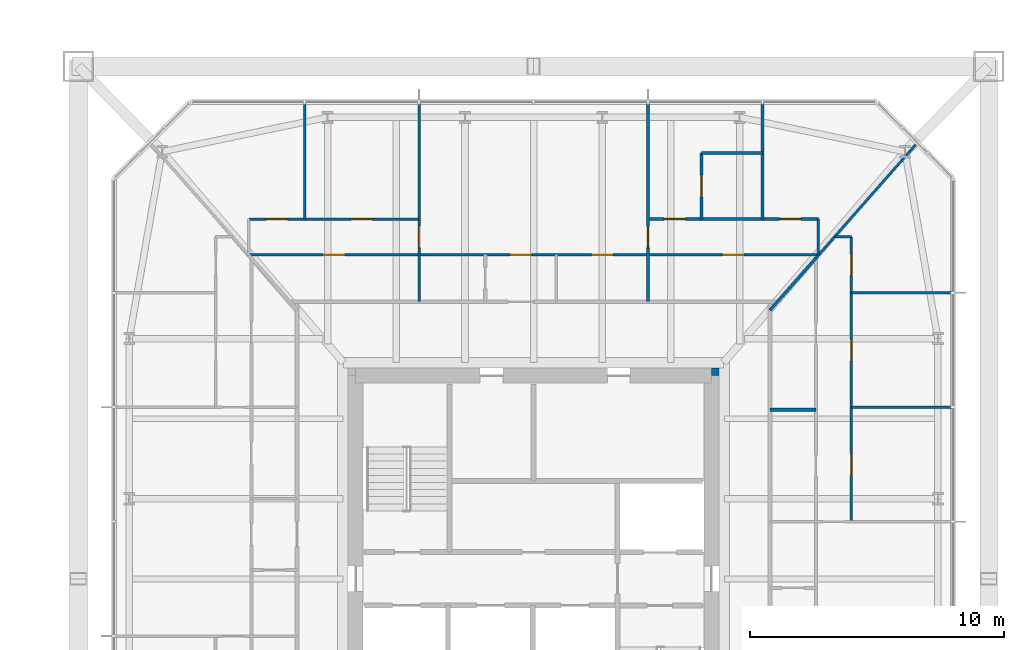
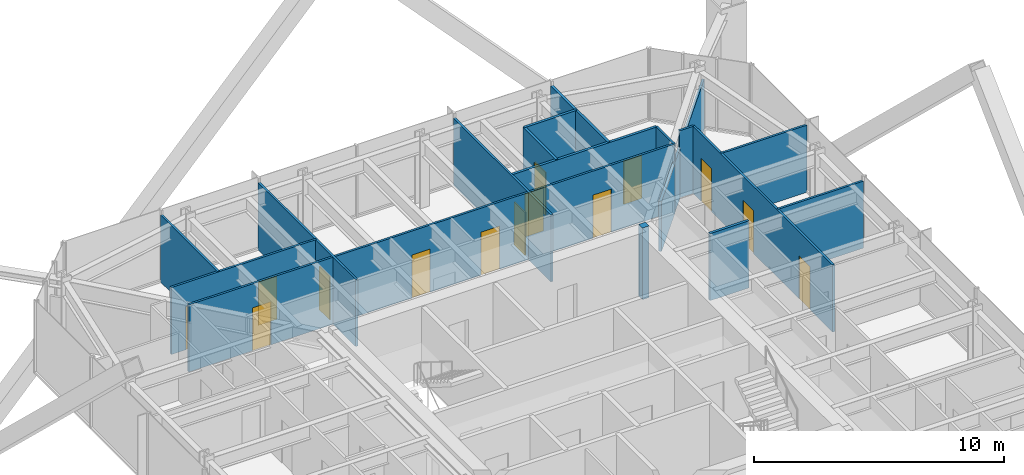
# One storey, part 23 of 28: 18 walls, 14 doors, 14 openings.
"""IFC4 building model written with IfcOpenShell, lengths in metres."""

from ifc_helpers import new_model, si_unit, direction, frame, frame_2d, origin, place, context, subcontext, project, spatial, rectangle, extrude, material, layer, layer_set, type_object, element, fill, save


model = new_model("IFC4")

# Units and contexts
model_context = context("Model", 3, precision=1e-05, world=origin(), true_north=direction((0.0, 1.0)))
body_context = subcontext(model_context, "Body", "Model", "MODEL_VIEW")
ifc_project = project(units=[si_unit("LENGTHUNIT", "METRE"), si_unit("AREAUNIT", "SQUARE_METRE"), si_unit("VOLUMEUNIT", "CUBIC_METRE"), si_unit("PLANEANGLEUNIT", "RADIAN"), si_unit("MASSUNIT", "GRAM", prefix="KILO")], contexts=[model_context])

# Site, building, storey
site_placement = place(None, origin())
site = spatial("IfcSite", under=ifc_project, at=site_placement, CompositionType="ELEMENT")
building_placement = place(site_placement, origin())
building = spatial("IfcBuilding", under=site, at=building_placement, Name="Iwan Alto Co-Living Towers", CompositionType="ELEMENT")
storey_placement = place(building_placement, frame((0.0, 0.0, 43.0)))
storey = spatial("IfcBuildingStorey", under=building, at=storey_placement, Name="L11", CompositionType="ELEMENT", Elevation=43.0)

# Walls
ifc_material_1 = material(Name="Gypsum board")
ifc_layer_1 = layer(ifc_material_1, 0.012451171875, Name="Board", Category="Finish")
ifc_material_2 = material(Name="Steel ASTM A1003 ST33H cold-formed studs", Category="steel")
ifc_layer_2 = layer(ifc_material_2, 0.074951171875, Name="Studs", Category="Framing")
ifc_layer_3 = layer(ifc_material_1, 0.012451171875, Name="Board", Category="Finish")
ifc_layer_set_1 = layer_set([ifc_layer_1, ifc_layer_2, ifc_layer_3], Name="PARTITION 100")
wall_type_1 = type_object("IfcWallType", Name="PARTITION 100", PredefinedType="PARTITIONING", material=ifc_layer_set_1)
for number, where, z_axis, x_axis, name in (
    (1, (75.5, 6.75, 0.0), (0.0, 0.0, 1.0), (1.0, 0.0, 0.0), "Partition L11"),
    (2, (75.5, 11.25, 0.0), (0.0, 0.0, 1.0), (1.0, 0.0, 0.0), "Partition L11"),
):
    element("IfcWall", number, at=place(storey_placement, frame(where, z_axis=z_axis, x_axis=x_axis)), inside=storey, type_object=wall_type_1, Name=name, PredefinedType="PARTITIONING", context=body_context, shape_type="SweptSolid", body=[
        extrude(rectangle(XDim=3.93994140625, YDim=0.10009765625, at=frame_2d((1.969970703125, 0.0))), origin(), (0.0, 0.0, 1.0), 3.27001953125),
    ])

# Wall, openings, doors
wall_1_placement = place(storey_placement, frame((51.800048828125, 12.75, 0.0), z_axis=(0.0, 0.0, 1.0), x_axis=(1.0, 0.0, 0.0)))
wall_1 = element("IfcWall", 3, at=wall_1_placement, inside=storey, type_object=wall_type_1, Name="Partition L11", PredefinedType="PARTITIONING", context=body_context, shape_type="SweptSolid", body=[
    extrude(rectangle(XDim=22.39990234375, YDim=0.10009765625, at=frame_2d((11.199951171875, 0.0))), origin(), (0.0, 0.0, 1.0), 3.27001953125),
])
opening_1_placement = place(wall_1_placement, frame((13.47509765625, 0.0, 0.0)))
opening_1 = element("IfcOpeningElement", 4, at=opening_1_placement, cuts=wall_1, Name="Opening D2", PredefinedType="OPENING", context=body_context, shape_type="SweptSolid", body=[
    extrude(rectangle(XDim=0.85009765625, YDim=2.10009765625, at=frame_2d((0.425048828125, 1.050048828125))), frame((0.0, 0.06005859375, 0.0), z_axis=(0.0, -1.0, 0.0), x_axis=(1.0, 0.0, 0.0)), (0.0, 0.0, 1.0), 0.1201171875),
])
opening_2_placement = place(wall_1_placement, frame((10.27490234375, 0.0, 0.0)))
opening_2 = element("IfcOpeningElement", 5, at=opening_2_placement, cuts=wall_1, Name="Opening D2", PredefinedType="OPENING", context=body_context, shape_type="SweptSolid", body=[
    extrude(rectangle(XDim=0.85009765625, YDim=2.10009765625, at=frame_2d((0.425048828125, 1.050048828125))), frame((0.0, 0.06005859375, 0.0), z_axis=(0.0, -1.0, 0.0), x_axis=(1.0, 0.0, 0.0)), (0.0, 0.0, 1.0), 0.1201171875),
])
opening_3_placement = place(wall_1_placement, frame((18.625, 0.0, 0.0)))
opening_3 = element("IfcOpeningElement", 6, at=opening_3_placement, cuts=wall_1, Name="Opening D2", PredefinedType="OPENING", context=body_context, shape_type="SweptSolid", body=[
    extrude(rectangle(XDim=0.85009765625, YDim=2.10009765625, at=frame_2d((0.425048828125, 1.050048828125))), frame((0.0, 0.06005859375, 0.0), z_axis=(0.0, -1.0, 0.0), x_axis=(1.0, 0.0, 0.0)), (0.0, 0.0, 1.0), 0.1201171875),
])
opening_4_placement = place(wall_1_placement, frame((2.925048828125, 0.0, 0.0)))
opening_4 = element("IfcOpeningElement", 7, at=opening_4_placement, cuts=wall_1, Name="Opening D2", PredefinedType="OPENING", context=body_context, shape_type="SweptSolid", body=[
    extrude(rectangle(XDim=0.85009765625, YDim=2.10009765625, at=frame_2d((0.425048828125, 1.050048828125))), frame((0.0, 0.06005859375, 0.0), z_axis=(0.0, -1.0, 0.0), x_axis=(1.0, 0.0, 0.0)), (0.0, 0.0, 1.0), 0.1201171875),
])
ifc_material_3 = material(Name="Timber leaf in steel frame", Category="steel")
door_type = type_object("IfcDoorType", Name="ROOM DOOR 850X2100", OperationType="SINGLE_SWING_LEFT", PredefinedType="DOOR", material=ifc_material_3)
door_1_placement = place(opening_1_placement, origin())
door_1 = element("IfcDoor", 8, at=door_1_placement, inside=storey, type_object=door_type, Name="Kitchen door L11", OperationType="SINGLE_SWING_RIGHT", OverallHeight=2.10009765625, OverallWidth=0.85009765625, PredefinedType="DOOR", context=body_context, shape_type="SweptSolid", body=[
    extrude(rectangle(XDim=0.85009765625, YDim=2.10009765625, at=frame_2d((0.425048828125, 1.050048828125))), frame((0.0, 0.02490234375, 0.0), z_axis=(0.0, -1.0, 0.0), x_axis=(1.0, 0.0, 0.0)), (0.0, 0.0, 1.0), 0.050048828125),
])
fill(opening_1, door_1)
door_2_placement = place(opening_2_placement, origin())
door_2 = element("IfcDoor", 9, at=door_2_placement, inside=storey, type_object=door_type, Name="Apartment foyer door L11", OperationType="SINGLE_SWING_LEFT", OverallHeight=2.10009765625, OverallWidth=0.85009765625, PredefinedType="DOOR", context=body_context, shape_type="SweptSolid", body=[
    extrude(rectangle(XDim=0.85009765625, YDim=2.10009765625, at=frame_2d((0.425048828125, 1.050048828125))), frame((0.0, 0.02490234375, 0.0), z_axis=(0.0, -1.0, 0.0), x_axis=(1.0, 0.0, 0.0)), (0.0, 0.0, 1.0), 0.050048828125),
])
fill(opening_2, door_2)
door_3_placement = place(opening_3_placement, frame((0.85009765625, 0.0, 0.0), z_axis=(0.0, 0.0, 1.0), x_axis=(-1.0, 0.0, 0.0)))
door_3 = element("IfcDoor", 10, at=door_3_placement, inside=storey, type_object=door_type, Name="Utility room door L11", OperationType="SINGLE_SWING_LEFT", OverallHeight=2.10009765625, OverallWidth=0.85009765625, PredefinedType="DOOR", context=body_context, shape_type="SweptSolid", body=[
    extrude(rectangle(XDim=0.85009765625, YDim=2.10009765625, at=frame_2d((0.425048828125, 1.050048828125))), frame((0.0, 0.02490234375, 0.0), z_axis=(0.0, -1.0, 0.0), x_axis=(1.0, 0.0, 0.0)), (0.0, 0.0, 1.0), 0.050048828125),
])
fill(opening_3, door_3)
door_4_placement = place(opening_4_placement, frame((0.85009765625, 0.0, 0.0), z_axis=(0.0, 0.0, 1.0), x_axis=(-1.0, 0.0, 0.0)))
door_4 = element("IfcDoor", 11, at=door_4_placement, inside=storey, type_object=door_type, Name="Utility room door L11", OperationType="SINGLE_SWING_RIGHT", OverallHeight=2.10009765625, OverallWidth=0.85009765625, PredefinedType="DOOR", context=body_context, shape_type="SweptSolid", body=[
    extrude(rectangle(XDim=0.85009765625, YDim=2.10009765625, at=frame_2d((0.425048828125, 1.050048828125))), frame((0.0, 0.02490234375, 0.0), z_axis=(0.0, -1.0, 0.0), x_axis=(1.0, 0.0, 0.0)), (0.0, 0.0, 1.0), 0.050048828125),
])
fill(opening_4, door_4)

# Wall
wall_2_placement = place(storey_placement, frame((74.8359375, 13.449951171875, 0.0), z_axis=(0.0, 0.0, 1.0), x_axis=(1.0, 0.0, 0.0)))
element("IfcWall", 12, at=wall_2_placement, inside=storey, type_object=wall_type_1, Name="Partition L11", PredefinedType="PARTITIONING", context=body_context, shape_type="SweptSolid", body=[
    extrude(rectangle(XDim=0.6640625, YDim=0.10009765625, at=frame_2d((0.33203125, 0.0))), origin(), (0.0, 0.0, 1.0), 3.27001953125),
])

# Wall, openings, doors
wall_3_placement = place(storey_placement, frame((51.800048828125, 14.14990234375, 0.0), z_axis=(0.0, 0.0, 1.0), x_axis=(1.0, 0.0, 0.0)))
wall_3 = element("IfcWall", 13, at=wall_3_placement, inside=storey, type_object=wall_type_1, Name="Partition L11", PredefinedType="PARTITIONING", context=body_context, shape_type="SweptSolid", body=[
    extrude(rectangle(XDim=6.699951171875, YDim=0.10009765625, at=frame_2d((3.35009765625, 0.0))), origin(), (0.0, 0.0, 1.0), 3.27001953125),
])
opening_5_placement = place(wall_3_placement, frame((4.02490234375, 0.0, 0.0)))
opening_5 = element("IfcOpeningElement", 14, at=opening_5_placement, cuts=wall_3, Name="Opening D2", PredefinedType="OPENING", context=body_context, shape_type="SweptSolid", body=[
    extrude(rectangle(XDim=0.85009765625, YDim=2.10009765625, at=frame_2d((0.425048828125, 1.050048828125))), frame((0.0, 0.06005859375, 0.0), z_axis=(0.0, -1.0, 0.0), x_axis=(1.0, 0.0, 0.0)), (0.0, 0.0, 1.0), 0.1201171875),
])
opening_6_placement = place(wall_3_placement, frame((0.675048828125, 0.0, 0.0)))
opening_6 = element("IfcOpeningElement", 15, at=opening_6_placement, cuts=wall_3, Name="Opening D2", PredefinedType="OPENING", context=body_context, shape_type="SweptSolid", body=[
    extrude(rectangle(XDim=0.85009765625, YDim=2.10009765625, at=frame_2d((0.425048828125, 1.050048828125))), frame((0.0, 0.06005859375, 0.0), z_axis=(0.0, -1.0, 0.0), x_axis=(1.0, 0.0, 0.0)), (0.0, 0.0, 1.0), 0.1201171875),
])
door_5_placement = place(opening_5_placement, origin())
door_5 = element("IfcDoor", 16, at=door_5_placement, inside=storey, type_object=door_type, Name="Study door L11", OperationType="SINGLE_SWING_LEFT", OverallHeight=2.10009765625, OverallWidth=0.85009765625, PredefinedType="DOOR", context=body_context, shape_type="SweptSolid", body=[
    extrude(rectangle(XDim=0.85009765625, YDim=2.10009765625, at=frame_2d((0.425048828125, 1.050048828125))), frame((0.0, 0.02490234375, 0.0), z_axis=(0.0, -1.0, 0.0), x_axis=(1.0, 0.0, 0.0)), (0.0, 0.0, 1.0), 0.050048828125),
])
fill(opening_5, door_5)
door_6_placement = place(opening_6_placement, origin())
door_6 = element("IfcDoor", 17, at=door_6_placement, inside=storey, type_object=door_type, Name="Bedroom door L11", OperationType="SINGLE_SWING_RIGHT", OverallHeight=2.10009765625, OverallWidth=0.85009765625, PredefinedType="DOOR", context=body_context, shape_type="SweptSolid", body=[
    extrude(rectangle(XDim=0.85009765625, YDim=2.10009765625, at=frame_2d((0.425048828125, 1.050048828125))), frame((0.0, 0.02490234375, 0.0), z_axis=(0.0, -1.0, 0.0), x_axis=(1.0, 0.0, 0.0)), (0.0, 0.0, 1.0), 0.050048828125),
])
fill(opening_6, door_6)

# Wall
wall_4_placement = place(storey_placement, frame((74.10009765625, 12.614013671875, 0.0), z_axis=(0.0, 0.0, 1.0), x_axis=(0.660755619739, 0.750601099775, 0.0)))
element("IfcWall", 18, at=wall_4_placement, inside=storey, type_object=wall_type_1, Name="Partition L11", PredefinedType="PARTITIONING", context=body_context, shape_type="SweptSolid", body=[
    extrude(rectangle(XDim=5.989013671875, YDim=0.10009765625, at=frame_2d((2.99462890625, 0.0))), origin(), (0.0, 0.0, 1.0), 2.42919921875),
])

# Wall, openings, doors
wall_5_placement = place(storey_placement, frame((75.5, 2.25, 0.0), z_axis=(0.0, 0.0, 1.0), x_axis=(0.0, 1.0, 0.0)))
wall_5 = element("IfcWall", 19, at=wall_5_placement, inside=storey, type_object=wall_type_1, Name="Partition L11", PredefinedType="PARTITIONING", context=body_context, shape_type="SweptSolid", body=[
    extrude(rectangle(XDim=11.199951171875, YDim=0.10009765625, at=frame_2d((5.60009765625, 0.0))), origin(), (0.0, 0.0, 1.0), 3.27001953125),
])
opening_7_placement = place(wall_5_placement, frame((1.824951171875, 0.0, 0.0)))
opening_7 = element("IfcOpeningElement", 20, at=opening_7_placement, cuts=wall_5, Name="Opening D2", PredefinedType="OPENING", context=body_context, shape_type="SweptSolid", body=[
    extrude(rectangle(XDim=0.85009765625, YDim=2.10009765625, at=frame_2d((0.425048828125, 1.050048828125))), frame((0.0, 0.06005859375, 0.0), z_axis=(0.0, -1.0, 0.0), x_axis=(1.0, 0.0, 0.0)), (0.0, 0.0, 1.0), 0.1201171875),
])
opening_8_placement = place(wall_5_placement, frame((6.324951171875, 0.0, 0.0)))
opening_8 = element("IfcOpeningElement", 21, at=opening_8_placement, cuts=wall_5, Name="Opening D2", PredefinedType="OPENING", context=body_context, shape_type="SweptSolid", body=[
    extrude(rectangle(XDim=0.85009765625, YDim=2.10009765625, at=frame_2d((0.425048828125, 1.050048828125))), frame((0.0, 0.06005859375, 0.0), z_axis=(0.0, -1.0, 0.0), x_axis=(1.0, 0.0, 0.0)), (0.0, 0.0, 1.0), 0.1201171875),
])
opening_9_placement = place(wall_5_placement, frame((9.675048828125, 0.0, 0.0)))
opening_9 = element("IfcOpeningElement", 22, at=opening_9_placement, cuts=wall_5, Name="Opening D2", PredefinedType="OPENING", context=body_context, shape_type="SweptSolid", body=[
    extrude(rectangle(XDim=0.85009765625, YDim=2.10009765625, at=frame_2d((0.425048828125, 1.050048828125))), frame((0.0, 0.06005859375, 0.0), z_axis=(0.0, -1.0, 0.0), x_axis=(1.0, 0.0, 0.0)), (0.0, 0.0, 1.0), 0.1201171875),
])
door_7_placement = place(opening_7_placement, frame((0.85009765625, 0.0, 0.0), z_axis=(0.0, 0.0, 1.0), x_axis=(-1.0, 0.0, 0.0)))
door_7 = element("IfcDoor", 23, at=door_7_placement, inside=storey, type_object=door_type, Name="Family room door L11", OperationType="SINGLE_SWING_RIGHT", OverallHeight=2.10009765625, OverallWidth=0.85009765625, PredefinedType="DOOR", context=body_context, shape_type="SweptSolid", body=[
    extrude(rectangle(XDim=0.85009765625, YDim=2.10009765625, at=frame_2d((0.425048828125, 1.050048828125))), frame((0.0, 0.02490234375, 0.0), z_axis=(0.0, -1.0, 0.0), x_axis=(1.0, 0.0, 0.0)), (0.0, 0.0, 1.0), 0.050048828125),
])
fill(opening_7, door_7)
door_8_placement = place(opening_8_placement, frame((0.85009765625, 0.0, 0.0), z_axis=(0.0, 0.0, 1.0), x_axis=(-1.0, 0.0, 0.0)))
door_8 = element("IfcDoor", 24, at=door_8_placement, inside=storey, type_object=door_type, Name="Bedroom door L11", OperationType="SINGLE_SWING_RIGHT", OverallHeight=2.10009765625, OverallWidth=0.85009765625, PredefinedType="DOOR", context=body_context, shape_type="SweptSolid", body=[
    extrude(rectangle(XDim=0.85009765625, YDim=2.10009765625, at=frame_2d((0.425048828125, 1.050048828125))), frame((0.0, 0.02490234375, 0.0), z_axis=(0.0, -1.0, 0.0), x_axis=(1.0, 0.0, 0.0)), (0.0, 0.0, 1.0), 0.050048828125),
])
fill(opening_8, door_8)
door_9_placement = place(opening_9_placement, frame((0.85009765625, 0.0, 0.0), z_axis=(0.0, 0.0, 1.0), x_axis=(-1.0, 0.0, 0.0)))
door_9 = element("IfcDoor", 25, at=door_9_placement, inside=storey, type_object=door_type, Name="Study door L11", OperationType="SINGLE_SWING_RIGHT", OverallHeight=2.10009765625, OverallWidth=0.85009765625, PredefinedType="DOOR", context=body_context, shape_type="SweptSolid", body=[
    extrude(rectangle(XDim=0.85009765625, YDim=2.10009765625, at=frame_2d((0.425048828125, 1.050048828125))), frame((0.0, 0.02490234375, 0.0), z_axis=(0.0, -1.0, 0.0), x_axis=(1.0, 0.0, 0.0)), (0.0, 0.0, 1.0), 0.050048828125),
])
fill(opening_9, door_9)

# Wall
wall_6_placement = place(storey_placement, frame((74.199951171875, 12.72705078125, 0.0), z_axis=(0.0, 0.0, 1.0), x_axis=(0.0, 1.0, 0.0)))
element("IfcWall", 26, at=wall_6_placement, inside=storey, type_object=wall_type_1, Name="Partition L11", PredefinedType="PARTITIONING", context=body_context, shape_type="SweptSolid", body=[
    extrude(rectangle(XDim=1.4228515625, YDim=0.10009765625, at=frame_2d((0.71142578125, 0.0))), origin(), (0.0, 0.0, 1.0), 3.27001953125),
])

# Wall, opening, door
wall_7_placement = place(storey_placement, frame((67.5, 10.89990234375, 0.0), z_axis=(0.0, 0.0, 1.0), x_axis=(0.0, 1.0, 0.0)))
wall_7 = element("IfcWall", 27, at=wall_7_placement, inside=storey, type_object=wall_type_1, Name="Partition L11", PredefinedType="PARTITIONING", context=body_context, shape_type="SweptSolid", body=[
    extrude(rectangle(XDim=7.7900390625, YDim=0.10009765625, at=frame_2d((3.89501953125, 0.0))), origin(), (0.0, 0.0, 1.0), 3.27001953125),
])
opening_10_placement = place(wall_7_placement, frame((2.125, 0.0, 0.0)))
opening_10 = element("IfcOpeningElement", 28, at=opening_10_placement, cuts=wall_7, Name="Opening D2", PredefinedType="OPENING", context=body_context, shape_type="SweptSolid", body=[
    extrude(rectangle(XDim=0.85009765625, YDim=2.10009765625, at=frame_2d((0.425048828125, 1.050048828125))), frame((0.0, 0.06005859375, 0.0), z_axis=(0.0, -1.0, 0.0), x_axis=(1.0, 0.0, 0.0)), (0.0, 0.0, 1.0), 0.1201171875),
])
door_10_placement = place(opening_10_placement, origin())
door_10 = element("IfcDoor", 29, at=door_10_placement, inside=storey, type_object=door_type, Name="Apartment hall door L11", OperationType="SINGLE_SWING_LEFT", OverallHeight=2.10009765625, OverallWidth=0.85009765625, PredefinedType="DOOR", context=body_context, shape_type="SweptSolid", body=[
    extrude(rectangle(XDim=0.85009765625, YDim=2.10009765625, at=frame_2d((0.425048828125, 1.050048828125))), frame((0.0, 0.02490234375, 0.0), z_axis=(0.0, -1.0, 0.0), x_axis=(1.0, 0.0, 0.0)), (0.0, 0.0, 1.0), 0.050048828125),
])
fill(opening_10, door_10)

wall_8_placement = place(storey_placement, frame((58.5, 10.89990234375, 0.0), z_axis=(0.0, 0.0, 1.0), x_axis=(0.0, 1.0, 0.0)))
wall_8 = element("IfcWall", 30, at=wall_8_placement, inside=storey, type_object=wall_type_1, Name="Partition L11", PredefinedType="PARTITIONING", context=body_context, shape_type="SweptSolid", body=[
    extrude(rectangle(XDim=7.7900390625, YDim=0.10009765625, at=frame_2d((3.89501953125, 0.0))), origin(), (0.0, 0.0, 1.0), 3.27001953125),
])
opening_11_placement = place(wall_8_placement, frame((2.125, 0.0, 0.0)))
opening_11 = element("IfcOpeningElement", 31, at=opening_11_placement, cuts=wall_8, Name="Opening D2", PredefinedType="OPENING", context=body_context, shape_type="SweptSolid", body=[
    extrude(rectangle(XDim=0.85009765625, YDim=2.10009765625, at=frame_2d((0.425048828125, 1.050048828125))), frame((0.0, 0.06005859375, 0.0), z_axis=(0.0, -1.0, 0.0), x_axis=(1.0, 0.0, 0.0)), (0.0, 0.0, 1.0), 0.1201171875),
])
door_11_placement = place(opening_11_placement, frame((0.85009765625, 0.0, 0.0), z_axis=(0.0, 0.0, 1.0), x_axis=(-1.0, 0.0, 0.0)))
door_11 = element("IfcDoor", 32, at=door_11_placement, inside=storey, type_object=door_type, Name="Apartment hall door L11", OperationType="SINGLE_SWING_RIGHT", OverallHeight=2.10009765625, OverallWidth=0.85009765625, PredefinedType="DOOR", context=body_context, shape_type="SweptSolid", body=[
    extrude(rectangle(XDim=0.85009765625, YDim=2.10009765625, at=frame_2d((0.425048828125, 1.050048828125))), frame((0.0, 0.02490234375, 0.0), z_axis=(0.0, -1.0, 0.0), x_axis=(1.0, 0.0, 0.0)), (0.0, 0.0, 1.0), 0.050048828125),
])
fill(opening_11, door_11)

# Walls
wall_9_placement = place(storey_placement, frame((54.0, 14.14990234375, 0.0), z_axis=(0.0, 0.0, 1.0), x_axis=(0.0, 1.0, 0.0)))
element("IfcWall", 33, at=wall_9_placement, inside=storey, type_object=wall_type_1, Name="Partition L11", PredefinedType="PARTITIONING", context=body_context, shape_type="SweptSolid", body=[
    extrude(rectangle(XDim=4.5400390625, YDim=0.10009765625, at=frame_2d((2.27001953125, 0.0))), origin(), (0.0, 0.0, 1.0), 3.27001953125),
])
ifc_material_4 = material(Name="Concrete f'c 70 MPa", Category="concrete")
ifc_layer_4 = layer(ifc_material_4, 0.300048828125)
ifc_layer_set_2 = layer_set([ifc_layer_4], Name="T2 CORE CORNER FILL 300")
wall_type_2 = type_object("IfcWallType", Name="T2 CORE CORNER FILL 300", PredefinedType="SOLIDWALL", material=ifc_layer_set_2)
wall_10_placement = place(storey_placement, frame((70.0, 8.14990234375, 0.0), z_axis=(0.0, 0.0, 1.0), x_axis=(1.0, 0.0, 0.0)))
element("IfcWall", 34, at=wall_10_placement, inside=storey, type_object=wall_type_2, Name="T2 core corner NE L11", PredefinedType="SOLIDWALL", context=body_context, shape_type="SweptSolid", body=[
    extrude(rectangle(XDim=0.300048828125, YDim=0.300048828125, at=frame_2d((0.14990234375, 0.0))), origin(), (0.0, 0.0, 1.0), 3.5),
])
ifc_material_5 = material(Name="Cement board")
ifc_layer_5 = layer(ifc_material_5, 0.012451171875, Name="Board", Category="Finish")
ifc_layer_6 = layer(ifc_material_2, 0.094970703125, Name="Studs", Category="Framing")
ifc_layer_7 = layer(ifc_material_5, 0.012451171875, Name="Board", Category="Finish")
ifc_layer_set_3 = layer_set([ifc_layer_5, ifc_layer_6, ifc_layer_7], Name="WET AREA PARTITION 120")
wall_type_3 = type_object("IfcWallType", Name="WET AREA PARTITION 120", PredefinedType="PARTITIONING", material=ifc_layer_set_3)
wall_11_placement = place(storey_placement, frame((72.300048828125, 6.64990234375, 0.0), z_axis=(0.0, 0.0, 1.0), x_axis=(1.0, 0.0, 0.0)))
element("IfcWall", 35, at=wall_11_placement, inside=storey, type_object=wall_type_3, Name="Partition L11", PredefinedType="PARTITIONING", context=body_context, shape_type="SweptSolid", body=[
    extrude(rectangle(XDim=1.800048828125, YDim=0.1201171875, at=frame_2d((0.89990234375, 0.0))), origin(), (0.0, 0.0, 1.0), 3.27001953125),
])

# Wall, openings, doors
wall_12_placement = place(storey_placement, frame((67.5, 14.14990234375, 0.0), z_axis=(0.0, 0.0, 1.0), x_axis=(1.0, 0.0, 0.0)))
wall_12 = element("IfcWall", 36, at=wall_12_placement, inside=storey, type_object=wall_type_3, Name="Partition L11", PredefinedType="PARTITIONING", context=body_context, shape_type="SweptSolid", body=[
    extrude(rectangle(XDim=6.699951171875, YDim=0.1201171875, at=frame_2d((3.35009765625, 0.0))), origin(), (0.0, 0.0, 1.0), 3.27001953125),
])
opening_12_placement = place(wall_12_placement, frame((0.625, 0.0, 0.0)))
opening_12 = element("IfcOpeningElement", 37, at=opening_12_placement, cuts=wall_12, Name="Opening D2", PredefinedType="OPENING", context=body_context, shape_type="SweptSolid", body=[
    extrude(rectangle(XDim=0.85009765625, YDim=2.10009765625, at=frame_2d((0.425048828125, 1.050048828125))), frame((0.0, 0.070068359375, 0.0), z_axis=(0.0, -1.0, 0.0), x_axis=(1.0, 0.0, 0.0)), (0.0, 0.0, 1.0), 0.14013671875),
])
opening_13_placement = place(wall_12_placement, frame((5.175048828125, 0.0, 0.0)))
opening_13 = element("IfcOpeningElement", 38, at=opening_13_placement, cuts=wall_12, Name="Opening D2", PredefinedType="OPENING", context=body_context, shape_type="SweptSolid", body=[
    extrude(rectangle(XDim=0.85009765625, YDim=2.10009765625, at=frame_2d((0.425048828125, 1.050048828125))), frame((0.0, 0.070068359375, 0.0), z_axis=(0.0, -1.0, 0.0), x_axis=(1.0, 0.0, 0.0)), (0.0, 0.0, 1.0), 0.14013671875),
])
door_12_placement = place(opening_12_placement, origin())
door_12 = element("IfcDoor", 39, at=door_12_placement, inside=storey, type_object=door_type, Name="Bedroom door L11", OperationType="SINGLE_SWING_LEFT", OverallHeight=2.10009765625, OverallWidth=0.85009765625, PredefinedType="DOOR", context=body_context, shape_type="SweptSolid", body=[
    extrude(rectangle(XDim=0.85009765625, YDim=2.10009765625, at=frame_2d((0.425048828125, 1.050048828125))), frame((0.0, 0.02490234375, 0.0), z_axis=(0.0, -1.0, 0.0), x_axis=(1.0, 0.0, 0.0)), (0.0, 0.0, 1.0), 0.050048828125),
])
fill(opening_12, door_12)
door_13_placement = place(opening_13_placement, origin())
door_13 = element("IfcDoor", 40, at=door_13_placement, inside=storey, type_object=door_type, Name="Bedroom door L11", OperationType="SINGLE_SWING_LEFT", OverallHeight=2.10009765625, OverallWidth=0.85009765625, PredefinedType="DOOR", context=body_context, shape_type="SweptSolid", body=[
    extrude(rectangle(XDim=0.85009765625, YDim=2.10009765625, at=frame_2d((0.425048828125, 1.050048828125))), frame((0.0, 0.02490234375, 0.0), z_axis=(0.0, -1.0, 0.0), x_axis=(1.0, 0.0, 0.0)), (0.0, 0.0, 1.0), 0.050048828125),
])
fill(opening_13, door_13)

# Walls
wall_13_placement = place(storey_placement, frame((69.60009765625, 16.75, 0.0), z_axis=(0.0, 0.0, 1.0), x_axis=(1.0, 0.0, 0.0)))
element("IfcWall", 41, at=wall_13_placement, inside=storey, type_object=wall_type_3, Name="Partition L11", PredefinedType="PARTITIONING", context=body_context, shape_type="SweptSolid", body=[
    extrude(rectangle(XDim=2.39990234375, YDim=0.1201171875, at=frame_2d((1.199951171875, 0.0))), origin(), (0.0, 0.0, 1.0), 3.27001953125),
])
wall_14_placement = place(storey_placement, frame((72.29931640625, 10.568603515625, 0.0), z_axis=(0.0, 0.0, 1.0), x_axis=(0.660797520752, 0.750564212155, 0.0)))
element("IfcWall", 42, at=wall_14_placement, inside=storey, type_object=wall_type_3, Name="Partition L11", PredefinedType="PARTITIONING", context=body_context, shape_type="SweptSolid", body=[
    extrude(rectangle(XDim=2.72509765625, YDim=0.1201171875, at=frame_2d((1.362548828125, 0.0))), origin(), (0.0, 0.0, 1.0), 2.42919921875),
])
wall_15_placement = place(storey_placement, frame((72.0, 14.14990234375, 0.0), z_axis=(0.0, 0.0, 1.0), x_axis=(0.0, 1.0, 0.0)))
element("IfcWall", 43, at=wall_15_placement, inside=storey, type_object=wall_type_3, Name="Partition L11", PredefinedType="PARTITIONING", context=body_context, shape_type="SweptSolid", body=[
    extrude(rectangle(XDim=4.5400390625, YDim=0.1201171875, at=frame_2d((2.27001953125, 0.0))), origin(), (0.0, 0.0, 1.0), 3.27001953125),
])

# Wall, opening, door
wall_16_placement = place(storey_placement, frame((69.60009765625, 14.14990234375, 0.0), z_axis=(0.0, 0.0, 1.0), x_axis=(0.0, 1.0, 0.0)))
wall_16 = element("IfcWall", 44, at=wall_16_placement, inside=storey, type_object=wall_type_3, Name="Partition L11", PredefinedType="PARTITIONING", context=body_context, shape_type="SweptSolid", body=[
    extrude(rectangle(XDim=2.60009765625, YDim=0.1201171875, at=frame_2d((1.300048828125, 0.0))), origin(), (0.0, 0.0, 1.0), 3.27001953125),
])
opening_14_placement = place(wall_16_placement, frame((0.875, 0.0, 0.0)))
opening_14 = element("IfcOpeningElement", 45, at=opening_14_placement, cuts=wall_16, Name="Opening D2", PredefinedType="OPENING", context=body_context, shape_type="SweptSolid", body=[
    extrude(rectangle(XDim=0.85009765625, YDim=2.10009765625, at=frame_2d((0.425048828125, 1.050048828125))), frame((0.0, 0.070068359375, 0.0), z_axis=(0.0, -1.0, 0.0), x_axis=(1.0, 0.0, 0.0)), (0.0, 0.0, 1.0), 0.14013671875),
])
door_14_placement = place(opening_14_placement, origin())
door_14 = element("IfcDoor", 46, at=door_14_placement, inside=storey, type_object=door_type, Name="En-suite shower room door L11", OperationType="SINGLE_SWING_LEFT", OverallHeight=2.10009765625, OverallWidth=0.85009765625, PredefinedType="DOOR", context=body_context, shape_type="SweptSolid", body=[
    extrude(rectangle(XDim=0.85009765625, YDim=2.10009765625, at=frame_2d((0.425048828125, 1.050048828125))), frame((0.0, 0.02490234375, 0.0), z_axis=(0.0, -1.0, 0.0), x_axis=(1.0, 0.0, 0.0)), (0.0, 0.0, 1.0), 0.050048828125),
])
fill(opening_14, door_14)

save(model, "model.ifc")
